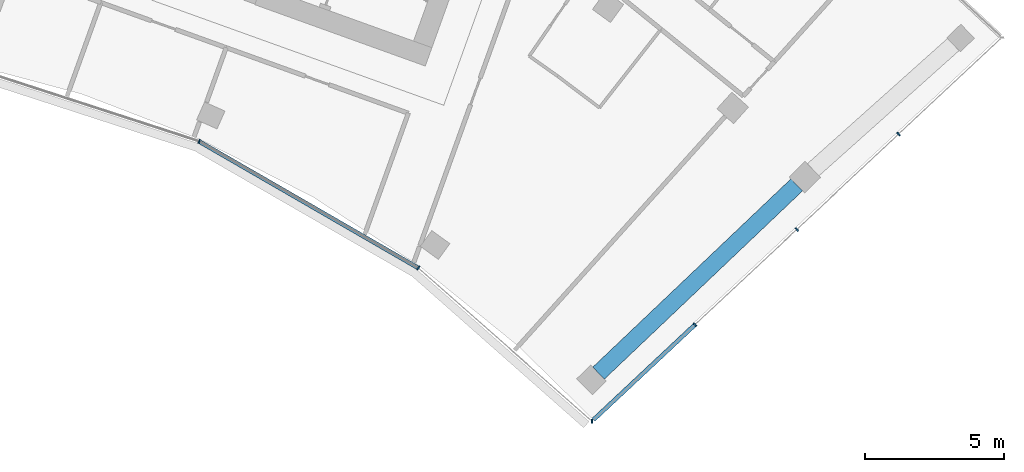
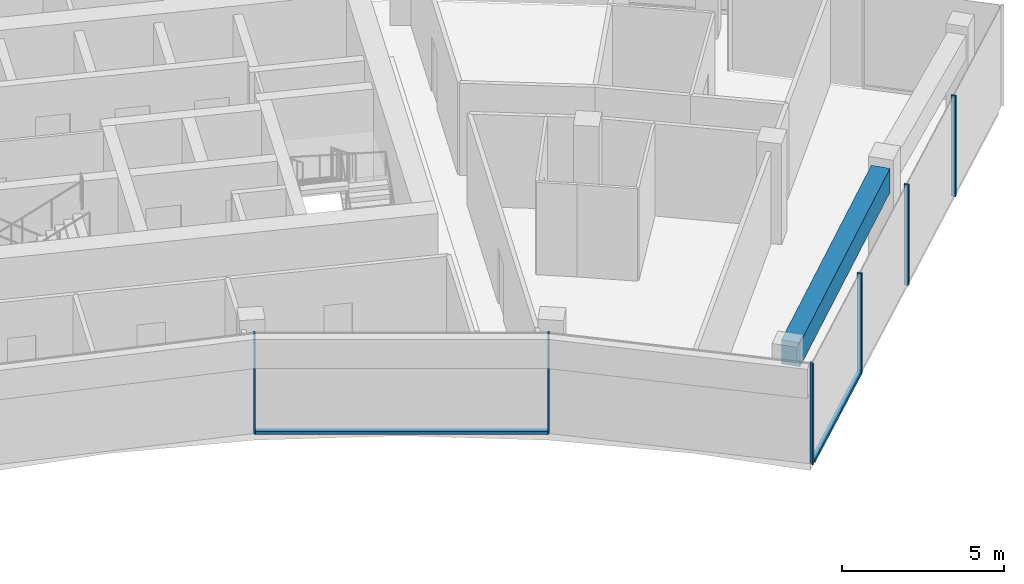
# One storey, part 8 of 18: 8 members, 1 beam, 2 elements without a shape of their own.
"""IFC4 building model written with IfcOpenShell, lengths in metres."""

import ifcopenshell
import ifcopenshell.guid

model = None  # the IFC model being written
_history = None  # IfcOwnerHistory: only IFC2X3 demands one
_inside = {}  # id of a spatial element -> (the spatial element, [elements in it])
_under = {}  # id of a project, library or spatial element -> (it, [spatial elements below it])
_declared = {}  # id of a project -> (the project, [libraries it declares])
_typed = {}  # id of a type object -> (the type object, [elements of that type])
_made_of = {}  # id of a material, layer set ... -> (it, [elements and type objects made of it])


def new_model(schema):
    """Start an empty IFC model of exactly this schema.

    Asked for "IFC4X3", IfcOpenShell would pick the latest addendum, in which some entities
    have other attributes; the version numbers below select the first issue.
    IFC2X3 requires an IfcOwnerHistory on every rooted entity: one is made here for all.
    """
    global model, _history
    if schema == "IFC4X3":
        model = ifcopenshell.file(schema_version=(4, 3, 0, 0))
    else:
        model = ifcopenshell.file(schema=schema)
    _inside.clear()
    _under.clear()
    _declared.clear()
    _typed.clear()
    _made_of.clear()
    _history = None
    if model.schema == "IFC2X3":
        org = make("IfcOrganization", Name="unknown")
        user = make(
            "IfcPersonAndOrganization",
            ThePerson=make("IfcPerson", FamilyName="unknown"),
            TheOrganization=org,
        )
        app = make(
            "IfcApplication",
            ApplicationDeveloper=org,
            Version="unknown",
            ApplicationFullName="unknown",
            ApplicationIdentifier="unknown",
        )
        _history = make(
            "IfcOwnerHistory",
            OwningUser=user,
            OwningApplication=app,
            ChangeAction="ADDED",
            CreationDate=0,
        )
    return model


def make(cls, **values):
    """One entity of the class cls with the attributes given. An attribute that is None is left unset."""
    return model.create_entity(
        cls, **{name: value for name, value in values.items() if value is not None}
    )


def rooted(cls, **values):
    """An entity with a GlobalId (a new one), such as an element, a storey or a relation."""
    return make(cls, GlobalId=ifcopenshell.guid.new(), OwnerHistory=_history, **values)


def si_unit(unit_type, name, prefix=None):
    """IfcSIUnit, for example si_unit("LENGTHUNIT", "METRE", prefix="MILLI")."""
    return make("IfcSIUnit", UnitType=unit_type, Prefix=prefix, Name=name)


def assignment(units):
    """IfcUnitAssignment: the units of a project."""
    return None if units is None else make("IfcUnitAssignment", Units=units)


def point(xyz):
    """IfcCartesianPoint."""
    return None if xyz is None else make("IfcCartesianPoint", Coordinates=xyz)


def direction(xyz):
    """IfcDirection."""
    return None if xyz is None else make("IfcDirection", DirectionRatios=xyz)


def frame(location, z_axis=None, x_axis=None):
    """IfcAxis2Placement3D, a coordinate frame: its origin and axes. An axis left out is left unset."""
    return make(
        "IfcAxis2Placement3D",
        Location=point(location),
        Axis=direction(z_axis),
        RefDirection=direction(x_axis),
    )


def frame_2d(location, x_axis=None):
    """IfcAxis2Placement2D, a coordinate frame in the plane: its origin and x axis."""
    return make(
        "IfcAxis2Placement2D", Location=point(location), RefDirection=direction(x_axis)
    )


def origin():
    """The frame at (0, 0, 0) with its axes left unset."""
    return frame((0.0, 0.0, 0.0))


def origin_2d():
    """The frame at (0, 0) in the plane with its x axis left unset."""
    return frame_2d((0.0, 0.0))


def place(relative_to, where):
    """IfcLocalPlacement: puts the frame where relative to a parent placement (None: the world)."""
    return make(
        "IfcLocalPlacement", PlacementRelTo=relative_to, RelativePlacement=where
    )


def context(
    kind, dimensions, precision=None, world=None, true_north=None, identifier=None
):
    """IfcGeometricRepresentationContext, for example the 3D "Model" context."""
    return make(
        "IfcGeometricRepresentationContext",
        ContextIdentifier=identifier,
        ContextType=kind,
        CoordinateSpaceDimension=dimensions,
        Precision=precision,
        WorldCoordinateSystem=world,
        TrueNorth=true_north,
    )


def subcontext(parent, identifier, kind, view, scale=None):
    """IfcGeometricRepresentationSubContext, for example "Body" below "Model"."""
    return make(
        "IfcGeometricRepresentationSubContext",
        ContextIdentifier=identifier,
        ContextType=kind,
        ParentContext=parent,
        TargetScale=scale,
        TargetView=view,
    )


def project(units=None, contexts=None):
    """IfcProject with its units and contexts."""
    return rooted(
        "IfcProject",
        Name="project",
        RepresentationContexts=contexts,
        UnitsInContext=assignment(units),
    )


def spatial(cls, under=None, at=None, **own):
    """A site, building, storey or space (cls), placed at a placement, below another one or the project."""
    s = rooted(cls, ObjectPlacement=at, **own)
    if under is not None:
        _under.setdefault(under.id(), (under, []))[1].append(s)
    return s


def profile(cls, at=None, kind="AREA", **sizes):
    """A parametric profile (cls). Its sizes go by their IFC names, for example OverallWidth=200.0."""
    return make(cls, ProfileType=kind, Position=at, **sizes)


def rectangle(**sizes):
    """IfcRectangleProfileDef."""
    return profile("IfcRectangleProfileDef", **sizes)


def extrude(swept, where, along, depth):
    """IfcExtrudedAreaSolid: the profile swept, set in the frame where, extruded along a direction by depth."""
    return make(
        "IfcExtrudedAreaSolid",
        SweptArea=swept,
        Position=where,
        ExtrudedDirection=direction(along),
        Depth=depth,
    )


def shape(context_of_items, identifier, shape_type, items):
    """IfcShapeRepresentation: the items that make up one representation, for example the "Body"."""
    return make(
        "IfcShapeRepresentation",
        ContextOfItems=context_of_items,
        RepresentationIdentifier=identifier,
        RepresentationType=shape_type,
        Items=items,
    )


def material(Name=None, Category=None):
    """IfcMaterial."""
    return make("IfcMaterial", Name=Name, Category=Category)


def layer(
    of_material, thickness, ventilated=None, Name=None, Category=None, Priority=None
):
    """IfcMaterialLayer: one layer of a wall or slab, of a material (None: an air gap)."""
    return make(
        "IfcMaterialLayer",
        Material=of_material,
        LayerThickness=thickness,
        IsVentilated=ventilated,
        Name=Name,
        Category=Category,
        Priority=Priority,
    )


def layer_set(layers, Name=None):
    """IfcMaterialLayerSet."""
    return make("IfcMaterialLayerSet", MaterialLayers=layers, LayerSetName=Name)


def material_profile(
    of_material, cross_section, Name=None, Category=None, Priority=None
):
    """IfcMaterialProfile: a cross section and its material."""
    return make(
        "IfcMaterialProfile",
        Name=Name,
        Material=of_material,
        Profile=cross_section,
        Priority=Priority,
        Category=Category,
    )


def profile_set(profiles, Name=None, composite=None):
    """IfcMaterialProfileSet."""
    return make(
        "IfcMaterialProfileSet",
        Name=Name,
        MaterialProfiles=profiles,
        CompositeProfile=composite,
    )


def made_of(thing, what):
    """Note that an element or type object is made of a material, layer set ...; save() writes the relation."""
    if what is not None:
        _made_of.setdefault(what.id(), (what, []))[1].append(thing)
    return thing


def type_object(cls, material=None, **own):
    """A type object (cls), such as IfcWallType, which elements share."""
    return made_of(rooted(cls, **own), material)


def element(
    cls,
    number,
    at=None,
    inside=None,
    cuts=None,
    type_object=None,
    material=None,
    context=None,
    identifier="Body",
    shape_type=None,
    held_by="IfcProductDefinitionShape",
    body=None,
    shapes=None,
    **own,
):
    """One element of the class cls, such as IfcWall. Its Tag is "e" and its number.

    at: its placement. inside: the storey or other place that contains it. cuts: it is an
    opening in that element (IfcRelVoidsElement). A single representation is given by context,
    identifier, shape_type and body (its items); several are given by shapes. held_by: the class
    of the entity that holds the representations. save() writes the other relations.
    """
    e = rooted(cls, Tag="e%d" % number, ObjectPlacement=at, **own)
    if body is not None:
        shapes = [shape(context, identifier, shape_type, body)]
    if shapes is not None:
        e.Representation = make(held_by, Representations=shapes)
    if inside is not None:
        _inside.setdefault(inside.id(), (inside, []))[1].append(e)
    if cuts is not None:
        rooted(
            "IfcRelVoidsElement", RelatingBuildingElement=cuts, RelatedOpeningElement=e
        )
    if type_object is not None:
        _typed.setdefault(type_object.id(), (type_object, []))[1].append(e)
    return made_of(e, material)


def aggregate(whole, parts):
    """IfcRelAggregates: a whole, such as a stair, and the parts it consists of."""
    return rooted("IfcRelAggregates", RelatingObject=whole, RelatedObjects=parts)


def save(model, path):
    """Write the relations noted so far, then the file.

    IfcRelAggregates (storeys below a building ...), IfcRelContainedInSpatialStructure (elements
    in a storey), IfcRelDefinesByType, IfcRelAssociatesMaterial and IfcRelDeclares: one each for
    every whole, place, type object, material and project.
    """
    for whole, parts in _under.values():
        aggregate(whole, parts)
    for where, things in _inside.values():
        rooted(
            "IfcRelContainedInSpatialStructure",
            RelatedElements=things,
            RelatingStructure=where,
        )
    for kind, things in _typed.values():
        rooted("IfcRelDefinesByType", RelatedObjects=things, RelatingType=kind)
    for what, things in _made_of.values():
        rooted("IfcRelAssociatesMaterial", RelatedObjects=things, RelatingMaterial=what)
    for by, libraries in _declared.values():
        rooted("IfcRelDeclares", RelatingContext=by, RelatedDefinitions=libraries)
    model.write(path)


model = new_model("IFC4")

# Units and contexts
model_context = context("Model", 3, precision=1e-05, world=origin(), true_north=direction((0.0, 1.0)))
body_context = subcontext(model_context, "Body", "Model", "MODEL_VIEW")
ifc_project = project(units=[si_unit("LENGTHUNIT", "METRE"), si_unit("AREAUNIT", "SQUARE_METRE"), si_unit("VOLUMEUNIT", "CUBIC_METRE"), si_unit("PLANEANGLEUNIT", "RADIAN"), si_unit("MASSUNIT", "GRAM", prefix="KILO")], contexts=[model_context])

# Site, building, storey
site_placement = place(None, origin())
site = spatial("IfcSite", under=ifc_project, at=site_placement, CompositionType="ELEMENT")
building_placement = place(site_placement, origin())
building = spatial("IfcBuilding", under=site, at=building_placement, Name="Stone Belt Terrace Tower", CompositionType="ELEMENT")
storey_placement = place(building_placement, frame((0.0, 0.0, 299.800048828125)))
storey = spatial("IfcBuildingStorey", under=building, at=storey_placement, Name="L73", CompositionType="ELEMENT", Elevation=299.800048828125)

# Curtain wall, members
ifc_material_1 = material(Name="Aluminium 6063-T6 anodised frame", Category="aluminium")
ifc_layer_1 = layer(ifc_material_1, 0.14990234375)
ifc_layer_set_1 = layer_set([ifc_layer_1], Name="CW-B unitised concave-face curtain wall")
curtain_wall_type_1 = type_object("IfcCurtainWallType", Name="CW-B unitised concave-face curtain wall", PredefinedType="NOTDEFINED", material=ifc_layer_set_1)
curtain_wall_1_placement = place(storey_placement, origin())
curtain_wall_1 = element("IfcCurtainWall", 1, at=curtain_wall_1_placement, inside=storey, type_object=curtain_wall_type_1, Name="CW-B concave face L73", PredefinedType="NOTDEFINED")
ifc_material_profile_1 = material_profile(ifc_material_1, rectangle(XDim=0.14990234375, YDim=0.050048828125, at=origin_2d()), Name="Aluminium 6063-T6 50x150")
ifc_profile_set_1 = profile_set([ifc_material_profile_1], Name="Aluminium 6063-T6 anodised frame")
member_type_1 = type_object("IfcMemberType", Name="CW-B mullion 50 x 150", PredefinedType="MULLION", material=ifc_profile_set_1)
member_1_placement = place(storey_placement, frame((17.662353515625, 39.67041015625, 0.0), z_axis=(0.0, 0.0, 1.0), x_axis=(0.406736643076, 0.913545457643, 0.0)))
member_1 = element("IfcMember", 2, at=member_1_placement, type_object=member_type_1, Name="CW-B mullion 7", PredefinedType="MULLION", context=body_context, shape_type="SweptSolid", body=[
    extrude(rectangle(XDim=0.14990234375, YDim=0.050048828125, at=origin_2d()), origin(), (0.0, 0.0, 1.0), 3.800048828125),
])
member_2_placement = place(storey_placement, frame((25.524658203125, 35.131103515625, 0.0), z_axis=(0.0, 0.0, 1.0), x_axis=(0.583818854632, 0.811883947973, 0.0)))
member_2 = element("IfcMember", 3, at=member_2_placement, type_object=member_type_1, Name="CW-B mullion 8", PredefinedType="MULLION", context=body_context, shape_type="SweptSolid", body=[
    extrude(rectangle(XDim=0.14990234375, YDim=0.050048828125, at=origin_2d()), origin(), (0.0, 0.0, 1.0), 3.800048828125),
])
ifc_material_profile_2 = material_profile(ifc_material_1, rectangle(XDim=0.14990234375, YDim=0.1201171875, at=origin_2d()), Name="Aluminium 6063-T6 150x120")
ifc_profile_set_2 = profile_set([ifc_material_profile_2], Name="Aluminium 6063-T6 anodised frame")
member_type_2 = type_object("IfcMemberType", Name="CW-B transom 120 x 150", PredefinedType="USERDEFINED", material=ifc_profile_set_2)
member_3_placement = place(storey_placement, frame((17.690673828125, 39.654052734375, 0.06005859375), z_axis=(0.866020948727, -0.500007716307, 0.0), x_axis=(0.500007716307, 0.866020948727, 0.0)))
member_3 = element("IfcMember", 4, at=member_3_placement, type_object=member_type_2, Name="CW-B transom 7.1", ObjectType="TRANSOM", PredefinedType="USERDEFINED", context=body_context, shape_type="SweptSolid", body=[
    extrude(rectangle(XDim=0.14990234375, YDim=0.1201171875, at=origin_2d()), origin(), (0.0, 0.0, 1.0), 9.013427734375),
])
aggregate(curtain_wall_1, [member_1, member_2, member_3])

ifc_layer_2 = layer(ifc_material_1, 0.14990234375)
ifc_layer_set_2 = layer_set([ifc_layer_2], Name="CW-C stick curtain wall, horn ends and notches")
curtain_wall_type_2 = type_object("IfcCurtainWallType", Name="CW-C stick curtain wall, horn ends and notches", PredefinedType="NOTDEFINED", material=ifc_layer_set_2)
curtain_wall_2_placement = place(storey_placement, origin())
curtain_wall_2 = element("IfcCurtainWall", 5, at=curtain_wall_2_placement, inside=storey, type_object=curtain_wall_type_2, Name="CW-C end face L73", PredefinedType="NOTDEFINED")
ifc_material_profile_3 = material_profile(ifc_material_1, rectangle(XDim=0.14990234375, YDim=0.06005859375, at=origin_2d()), Name="Aluminium 6063-T6 60x150")
ifc_profile_set_3 = profile_set([ifc_material_profile_3], Name="Aluminium 6063-T6 anodised frame")
member_type_3 = type_object("IfcMemberType", Name="CW-C mullion 60 x 150", PredefinedType="MULLION", material=ifc_profile_set_3)
member_4_placement = place(storey_placement, frame((31.75244140625, 29.633056640625, 0.0), z_axis=(0.0, 0.0, 1.0), x_axis=(-0.014681639593, 0.999892218921, 0.0)))
member_4 = element("IfcMember", 6, at=member_4_placement, type_object=member_type_3, Name="CW-C mullion 1", PredefinedType="MULLION", context=body_context, shape_type="SweptSolid", body=[
    extrude(rectangle(XDim=0.14990234375, YDim=0.06005859375, at=origin_2d()), origin(), (0.0, 0.0, 1.0), 3.800048828125),
])
member_5_placement = place(storey_placement, frame((35.45166015625, 33.097412109375, 0.0), z_axis=(0.0, 0.0, 1.0), x_axis=(-0.683549434973, 0.729904219708, 0.0)))
member_5 = element("IfcMember", 7, at=member_5_placement, type_object=member_type_3, Name="CW-C mullion 2", PredefinedType="MULLION", context=body_context, shape_type="SweptSolid", body=[
    extrude(rectangle(XDim=0.14990234375, YDim=0.06005859375, at=origin_2d()), origin(), (0.0, 0.0, 1.0), 3.800048828125),
])
member_6_placement = place(storey_placement, frame((39.10107421875, 36.51513671875, 0.0), z_axis=(0.0, 0.0, 1.0), x_axis=(-0.683549434973, 0.729904219708, 0.0)))
member_6 = element("IfcMember", 8, at=member_6_placement, type_object=member_type_3, Name="CW-C mullion 3", PredefinedType="MULLION", context=body_context, shape_type="SweptSolid", body=[
    extrude(rectangle(XDim=0.14990234375, YDim=0.06005859375, at=origin_2d()), origin(), (0.0, 0.0, 1.0), 3.800048828125),
])
member_7_placement = place(storey_placement, frame((42.750732421875, 39.932861328125, 0.0), z_axis=(0.0, 0.0, 1.0), x_axis=(-0.683549434973, 0.729904219708, 0.0)))
member_7 = element("IfcMember", 9, at=member_7_placement, type_object=member_type_3, Name="CW-C mullion 4", PredefinedType="MULLION", context=body_context, shape_type="SweptSolid", body=[
    extrude(rectangle(XDim=0.14990234375, YDim=0.06005859375, at=origin_2d()), origin(), (0.0, 0.0, 1.0), 3.800048828125),
])
ifc_material_profile_4 = material_profile(ifc_material_1, rectangle(XDim=0.14990234375, YDim=0.1201171875, at=origin_2d()), Name="Aluminium 6063-T6 150x120")
ifc_profile_set_4 = profile_set([ifc_material_profile_4], Name="Aluminium 6063-T6 anodised frame")
member_type_4 = type_object("IfcMemberType", Name="CW-C transom 120 x 150", PredefinedType="USERDEFINED", material=ifc_profile_set_4)
member_8_placement = place(storey_placement, frame((31.805419921875, 29.6826171875, 0.06005859375), z_axis=(0.72988516347, 0.683569782938, 0.0), x_axis=(-0.683569782938, 0.72988516347, 0.0)))
member_8 = element("IfcMember", 10, at=member_8_placement, type_object=member_type_4, Name="CW-C transom 1.1", ObjectType="TRANSOM", PredefinedType="USERDEFINED", context=body_context, shape_type="SweptSolid", body=[
    extrude(rectangle(XDim=0.14990234375, YDim=0.1201171875, at=origin_2d()), origin(), (0.0, 0.0, 1.0), 4.965576171875),
])
aggregate(curtain_wall_2, [member_4, member_5, member_6, member_7, member_8])

# Beam
ifc_material_2 = material(Name="Concrete B60", Category="concrete")
ifc_material_profile_5 = material_profile(ifc_material_2, rectangle(XDim=0.60009765625, YDim=0.89990234375, at=origin_2d()), Name="RC 600x900")
ifc_profile_set_5 = profile_set([ifc_material_profile_5], Name="Concrete B60")
beam_type = type_object("IfcBeamType", Name="Edge beam RC 600x900 B60", PredefinedType="SPANDREL", material=ifc_profile_set_5)
beam_placement = place(storey_placement, frame((31.98876953125, 31.35791015625, 3.030029296875), z_axis=(0.72502367576, 0.688723942946, 0.0), x_axis=(-0.688723942946, 0.72502367576, 0.0)))
element("IfcBeam", 11, at=beam_placement, inside=storey, type_object=beam_type, Name="Edge beam L73 B P to Q", PredefinedType="SPANDREL", context=body_context, shape_type="SweptSolid", body=[
    extrude(rectangle(XDim=0.60009765625, YDim=0.89990234375, at=origin_2d()), origin(), (0.0, 0.0, 1.0), 9.80615234375),
])

save(model, "model.ifc")
